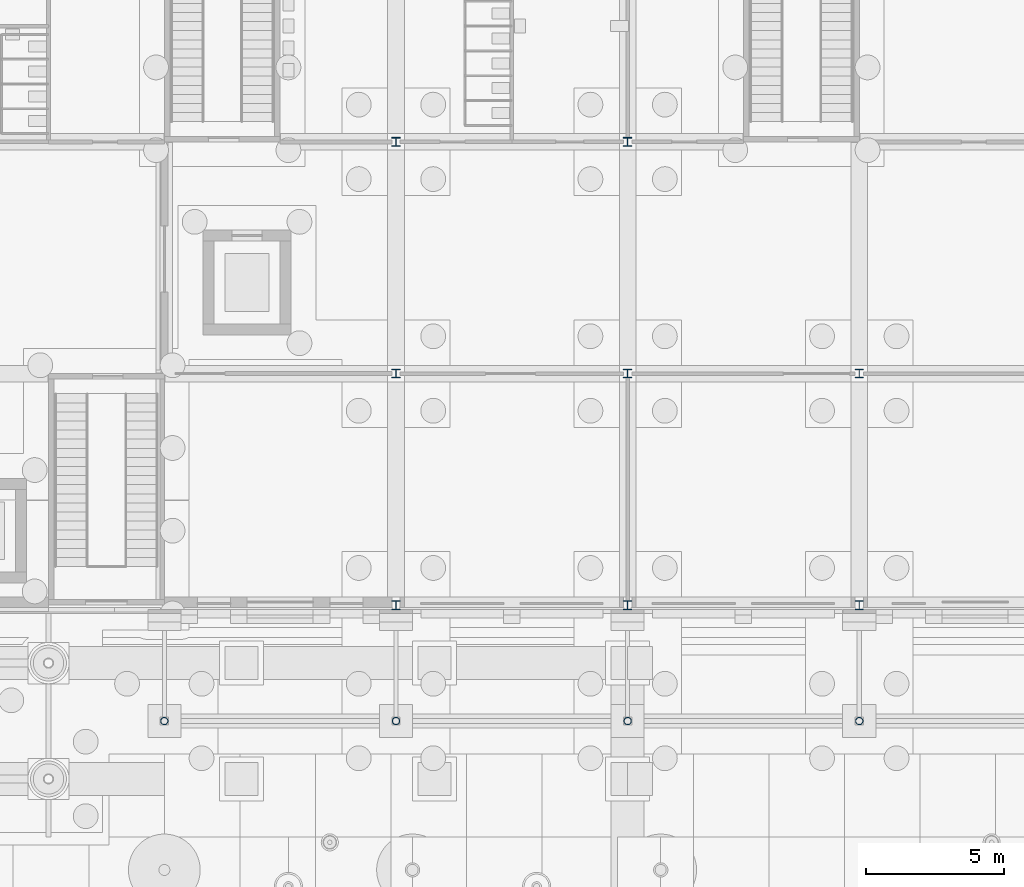
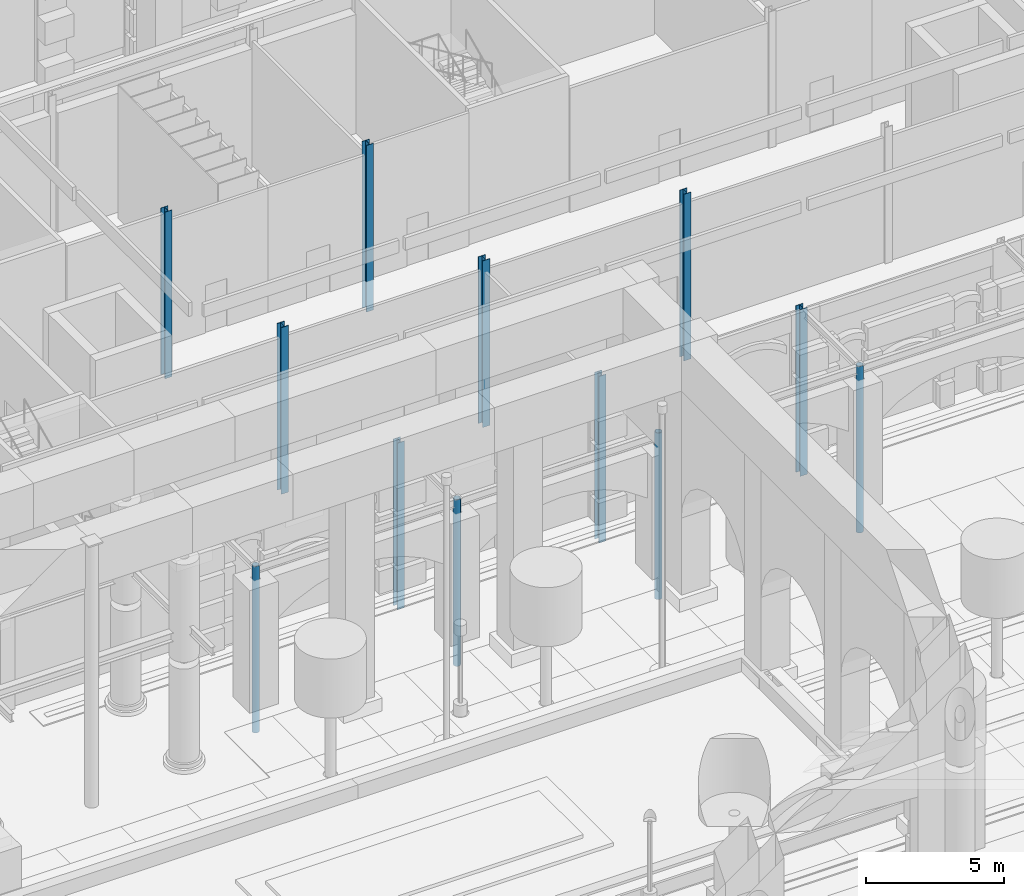
# One storey, part 15 of 222: 12 columns.
"""IFC4 building model written with IfcOpenShell, lengths in metres."""

import ifcopenshell
import ifcopenshell.guid

model = None  # the IFC model being written
_history = None  # IfcOwnerHistory: only IFC2X3 demands one
_inside = {}  # id of a spatial element -> (the spatial element, [elements in it])
_under = {}  # id of a project, library or spatial element -> (it, [spatial elements below it])
_declared = {}  # id of a project -> (the project, [libraries it declares])
_typed = {}  # id of a type object -> (the type object, [elements of that type])
_made_of = {}  # id of a material, layer set ... -> (it, [elements and type objects made of it])


def new_model(schema):
    """Start an empty IFC model of exactly this schema.

    Asked for "IFC4X3", IfcOpenShell would pick the latest addendum, in which some entities
    have other attributes; the version numbers below select the first issue.
    IFC2X3 requires an IfcOwnerHistory on every rooted entity: one is made here for all.
    """
    global model, _history
    if schema == "IFC4X3":
        model = ifcopenshell.file(schema_version=(4, 3, 0, 0))
    else:
        model = ifcopenshell.file(schema=schema)
    _inside.clear()
    _under.clear()
    _declared.clear()
    _typed.clear()
    _made_of.clear()
    _history = None
    if model.schema == "IFC2X3":
        org = make("IfcOrganization", Name="unknown")
        user = make(
            "IfcPersonAndOrganization",
            ThePerson=make("IfcPerson", FamilyName="unknown"),
            TheOrganization=org,
        )
        app = make(
            "IfcApplication",
            ApplicationDeveloper=org,
            Version="unknown",
            ApplicationFullName="unknown",
            ApplicationIdentifier="unknown",
        )
        _history = make(
            "IfcOwnerHistory",
            OwningUser=user,
            OwningApplication=app,
            ChangeAction="ADDED",
            CreationDate=0,
        )
    return model


def make(cls, **values):
    """One entity of the class cls with the attributes given. An attribute that is None is left unset."""
    return model.create_entity(
        cls, **{name: value for name, value in values.items() if value is not None}
    )


def rooted(cls, **values):
    """An entity with a GlobalId (a new one), such as an element, a storey or a relation."""
    return make(cls, GlobalId=ifcopenshell.guid.new(), OwnerHistory=_history, **values)


def si_unit(unit_type, name, prefix=None):
    """IfcSIUnit, for example si_unit("LENGTHUNIT", "METRE", prefix="MILLI")."""
    return make("IfcSIUnit", UnitType=unit_type, Prefix=prefix, Name=name)


def assignment(units):
    """IfcUnitAssignment: the units of a project."""
    return None if units is None else make("IfcUnitAssignment", Units=units)


def point(xyz):
    """IfcCartesianPoint."""
    return None if xyz is None else make("IfcCartesianPoint", Coordinates=xyz)


def direction(xyz):
    """IfcDirection."""
    return None if xyz is None else make("IfcDirection", DirectionRatios=xyz)


def frame(location, z_axis=None, x_axis=None):
    """IfcAxis2Placement3D, a coordinate frame: its origin and axes. An axis left out is left unset."""
    return make(
        "IfcAxis2Placement3D",
        Location=point(location),
        Axis=direction(z_axis),
        RefDirection=direction(x_axis),
    )


def frame_2d(location, x_axis=None):
    """IfcAxis2Placement2D, a coordinate frame in the plane: its origin and x axis."""
    return make(
        "IfcAxis2Placement2D", Location=point(location), RefDirection=direction(x_axis)
    )


def origin():
    """The frame at (0, 0, 0) with its axes left unset."""
    return frame((0.0, 0.0, 0.0))


def origin_2d():
    """The frame at (0, 0) in the plane with its x axis left unset."""
    return frame_2d((0.0, 0.0))


def place(relative_to, where):
    """IfcLocalPlacement: puts the frame where relative to a parent placement (None: the world)."""
    return make(
        "IfcLocalPlacement", PlacementRelTo=relative_to, RelativePlacement=where
    )


def context(
    kind, dimensions, precision=None, world=None, true_north=None, identifier=None
):
    """IfcGeometricRepresentationContext, for example the 3D "Model" context."""
    return make(
        "IfcGeometricRepresentationContext",
        ContextIdentifier=identifier,
        ContextType=kind,
        CoordinateSpaceDimension=dimensions,
        Precision=precision,
        WorldCoordinateSystem=world,
        TrueNorth=true_north,
    )


def subcontext(parent, identifier, kind, view, scale=None):
    """IfcGeometricRepresentationSubContext, for example "Body" below "Model"."""
    return make(
        "IfcGeometricRepresentationSubContext",
        ContextIdentifier=identifier,
        ContextType=kind,
        ParentContext=parent,
        TargetScale=scale,
        TargetView=view,
    )


def project(units=None, contexts=None):
    """IfcProject with its units and contexts."""
    return rooted(
        "IfcProject",
        Name="project",
        RepresentationContexts=contexts,
        UnitsInContext=assignment(units),
    )


def spatial(cls, under=None, at=None, **own):
    """A site, building, storey or space (cls), placed at a placement, below another one or the project."""
    s = rooted(cls, ObjectPlacement=at, **own)
    if under is not None:
        _under.setdefault(under.id(), (under, []))[1].append(s)
    return s


def profile(cls, at=None, kind="AREA", **sizes):
    """A parametric profile (cls). Its sizes go by their IFC names, for example OverallWidth=200.0."""
    return make(cls, ProfileType=kind, Position=at, **sizes)


def hollow_circle(**sizes):
    """IfcCircleHollowProfileDef."""
    return profile("IfcCircleHollowProfileDef", **sizes)


def i_section(**sizes):
    """IfcIShapeProfileDef."""
    return profile("IfcIShapeProfileDef", **sizes)


def extrude(swept, where, along, depth):
    """IfcExtrudedAreaSolid: the profile swept, set in the frame where, extruded along a direction by depth."""
    return make(
        "IfcExtrudedAreaSolid",
        SweptArea=swept,
        Position=where,
        ExtrudedDirection=direction(along),
        Depth=depth,
    )


def shape(context_of_items, identifier, shape_type, items):
    """IfcShapeRepresentation: the items that make up one representation, for example the "Body"."""
    return make(
        "IfcShapeRepresentation",
        ContextOfItems=context_of_items,
        RepresentationIdentifier=identifier,
        RepresentationType=shape_type,
        Items=items,
    )


def material(Name=None, Category=None):
    """IfcMaterial."""
    return make("IfcMaterial", Name=Name, Category=Category)


def material_profile(
    of_material, cross_section, Name=None, Category=None, Priority=None
):
    """IfcMaterialProfile: a cross section and its material."""
    return make(
        "IfcMaterialProfile",
        Name=Name,
        Material=of_material,
        Profile=cross_section,
        Priority=Priority,
        Category=Category,
    )


def profile_set(profiles, Name=None, composite=None):
    """IfcMaterialProfileSet."""
    return make(
        "IfcMaterialProfileSet",
        Name=Name,
        MaterialProfiles=profiles,
        CompositeProfile=composite,
    )


def made_of(thing, what):
    """Note that an element or type object is made of a material, layer set ...; save() writes the relation."""
    if what is not None:
        _made_of.setdefault(what.id(), (what, []))[1].append(thing)
    return thing


def type_object(cls, material=None, **own):
    """A type object (cls), such as IfcWallType, which elements share."""
    return made_of(rooted(cls, **own), material)


def element(
    cls,
    number,
    at=None,
    inside=None,
    cuts=None,
    type_object=None,
    material=None,
    context=None,
    identifier="Body",
    shape_type=None,
    held_by="IfcProductDefinitionShape",
    body=None,
    shapes=None,
    **own,
):
    """One element of the class cls, such as IfcWall. Its Tag is "e" and its number.

    at: its placement. inside: the storey or other place that contains it. cuts: it is an
    opening in that element (IfcRelVoidsElement). A single representation is given by context,
    identifier, shape_type and body (its items); several are given by shapes. held_by: the class
    of the entity that holds the representations. save() writes the other relations.
    """
    e = rooted(cls, Tag="e%d" % number, ObjectPlacement=at, **own)
    if body is not None:
        shapes = [shape(context, identifier, shape_type, body)]
    if shapes is not None:
        e.Representation = make(held_by, Representations=shapes)
    if inside is not None:
        _inside.setdefault(inside.id(), (inside, []))[1].append(e)
    if cuts is not None:
        rooted(
            "IfcRelVoidsElement", RelatingBuildingElement=cuts, RelatedOpeningElement=e
        )
    if type_object is not None:
        _typed.setdefault(type_object.id(), (type_object, []))[1].append(e)
    return made_of(e, material)


def aggregate(whole, parts):
    """IfcRelAggregates: a whole, such as a stair, and the parts it consists of."""
    return rooted("IfcRelAggregates", RelatingObject=whole, RelatedObjects=parts)


def save(model, path):
    """Write the relations noted so far, then the file.

    IfcRelAggregates (storeys below a building ...), IfcRelContainedInSpatialStructure (elements
    in a storey), IfcRelDefinesByType, IfcRelAssociatesMaterial and IfcRelDeclares: one each for
    every whole, place, type object, material and project.
    """
    for whole, parts in _under.values():
        aggregate(whole, parts)
    for where, things in _inside.values():
        rooted(
            "IfcRelContainedInSpatialStructure",
            RelatedElements=things,
            RelatingStructure=where,
        )
    for kind, things in _typed.values():
        rooted("IfcRelDefinesByType", RelatedObjects=things, RelatingType=kind)
    for what, things in _made_of.values():
        rooted("IfcRelAssociatesMaterial", RelatedObjects=things, RelatingMaterial=what)
    for by, libraries in _declared.values():
        rooted("IfcRelDeclares", RelatingContext=by, RelatedDefinitions=libraries)
    model.write(path)


model = new_model("IFC4")

# Units and contexts
model_context = context("Model", 3, precision=1e-05, world=origin(), true_north=direction((0.0, 1.0)))
body_context = subcontext(model_context, "Body", "Model", "MODEL_VIEW")
ifc_project = project(units=[si_unit("LENGTHUNIT", "METRE"), si_unit("AREAUNIT", "SQUARE_METRE"), si_unit("VOLUMEUNIT", "CUBIC_METRE"), si_unit("PLANEANGLEUNIT", "RADIAN"), si_unit("MASSUNIT", "GRAM", prefix="KILO")], contexts=[model_context])

# Site, building, storey
site_placement = place(None, origin())
site = spatial("IfcSite", under=ifc_project, at=site_placement, CompositionType="ELEMENT")
building_placement = place(site_placement, origin())
building = spatial("IfcBuilding", under=site, at=building_placement, Name="Sava Quay Ferry Terminal", CompositionType="ELEMENT")
storey_placement = place(building_placement, origin())
storey = spatial("IfcBuildingStorey", under=building, at=storey_placement, Name="L00", CompositionType="ELEMENT", Elevation=0.0)

# Columns
ifc_material_1 = material(Name="Steel S355", Category="steel")
ifc_material_profile_1 = material_profile(ifc_material_1, hollow_circle(Radius=0.136474609375, WallThickness=0.012451171875, at=origin_2d()), Name="CHS 273 x 12.5")
ifc_profile_set_1 = profile_set([ifc_material_profile_1], Name="Steel S355")
column_type_1 = type_object("IfcColumnType", Name="Column CHS 273 x 12.5", PredefinedType="COLUMN", material=ifc_profile_set_1)
for number, where, z_axis, x_axis, name in (
    (1, (84.0, 21.0, -1.35009765625), (0.0, 0.0, 1.0), (1.0, 0.0, 0.0), "Arcade column 84/21"),
    (2, (92.39990234375, 21.0, -1.35009765625), (0.0, 0.0, 1.0), (1.0, 0.0, 0.0), "Arcade column 92.4/21"),
    (3, (100.800048828125, 21.0, -1.35009765625), (0.0, 0.0, 1.0), (1.0, 0.0, 0.0), "Arcade column 100.8/21"),
    (4, (109.199951171875, 21.0, -1.35009765625), (0.0, 0.0, 1.0), (1.0, 0.0, 0.0), "Arcade column 109.2/21"),
):
    element("IfcColumn", number, at=place(storey_placement, frame(where, z_axis=z_axis, x_axis=x_axis)), inside=storey, type_object=column_type_1, Name=name, PredefinedType="COLUMN", context=body_context, shape_type="SweptSolid", body=[
        extrude(hollow_circle(Radius=0.136474609375, WallThickness=0.012451171875, at=origin_2d()), origin(), (0.0, 0.0, 1.0), 7.35009765625),
    ])
ifc_material_2 = material(Name="Steel S355", Category="steel")
ifc_material_profile_2 = material_profile(ifc_material_2, i_section(OverallWidth=0.300048828125, OverallDepth=0.320068359375, WebThickness=0.011474609375, FlangeThickness=0.0205078125, at=origin_2d()), Name="HE 320 B")
ifc_profile_set_2 = profile_set([ifc_material_profile_2], Name="Steel S355")
column_type_2 = type_object("IfcColumnType", Name="Column HE 320 B", PredefinedType="COLUMN", material=ifc_profile_set_2)
for number, where, z_axis, x_axis, name in (
    (5, (92.39990234375, 25.199951171875, -1.35009765625), (0.0, 0.0, 1.0), (1.0, 0.0, 0.0), "Column L00 92.4/25.2"),
    (6, (92.39990234375, 33.60009765625, -1.35009765625), (0.0, 0.0, 1.0), (1.0, 0.0, 0.0), "Column L00 92.4/33.6"),
    (7, (92.39990234375, 42.0, -1.35009765625), (0.0, 0.0, 1.0), (1.0, 0.0, 0.0), "Column L00 92.4/42"),
    (8, (100.800048828125, 25.199951171875, -1.35009765625), (0.0, 0.0, 1.0), (1.0, 0.0, 0.0), "Column L00 100.8/25.2"),
    (9, (100.800048828125, 33.60009765625, -1.35009765625), (0.0, 0.0, 1.0), (1.0, 0.0, 0.0), "Column L00 100.8/33.6"),
    (10, (100.800048828125, 42.0, -1.35009765625), (0.0, 0.0, 1.0), (1.0, 0.0, 0.0), "Column L00 100.8/42"),
    (11, (109.199951171875, 25.199951171875, -1.35009765625), (0.0, 0.0, 1.0), (1.0, 0.0, 0.0), "Column L00 109.2/25.2"),
    (12, (109.199951171875, 33.60009765625, -1.35009765625), (0.0, 0.0, 1.0), (1.0, 0.0, 0.0), "Column L00 109.2/33.6"),
):
    element("IfcColumn", number, at=place(storey_placement, frame(where, z_axis=z_axis, x_axis=x_axis)), inside=storey, type_object=column_type_2, Name=name, PredefinedType="COLUMN", context=body_context, shape_type="SweptSolid", body=[
        extrude(i_section(OverallWidth=0.300048828125, OverallDepth=0.320068359375, WebThickness=0.011474609375, FlangeThickness=0.0205078125, at=origin_2d()), origin(), (0.0, 0.0, 1.0), 7.35009765625),
    ])

save(model, "model.ifc")
